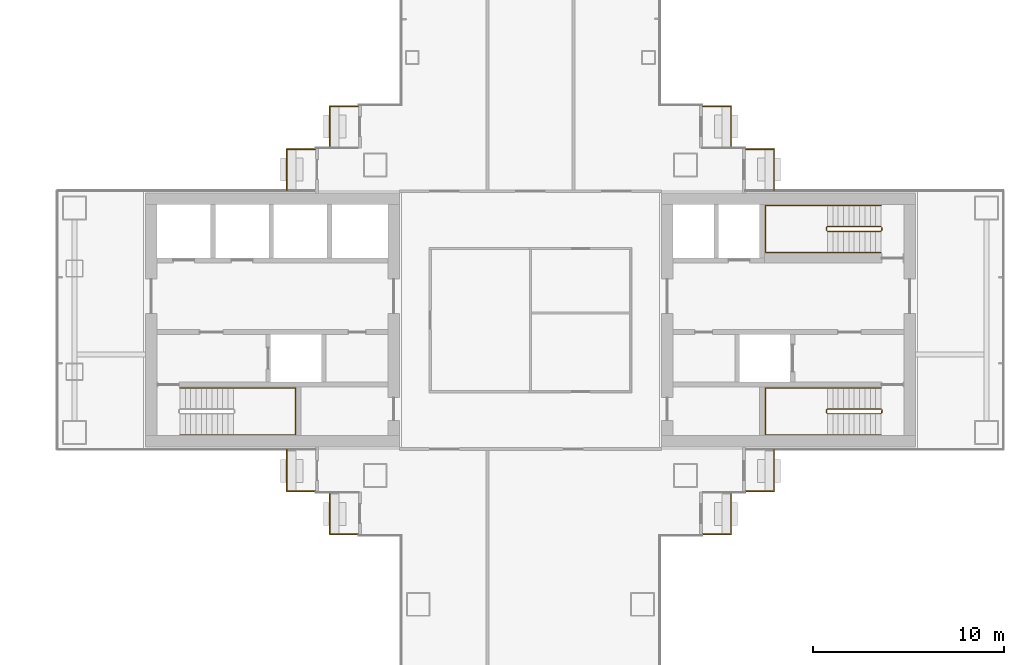
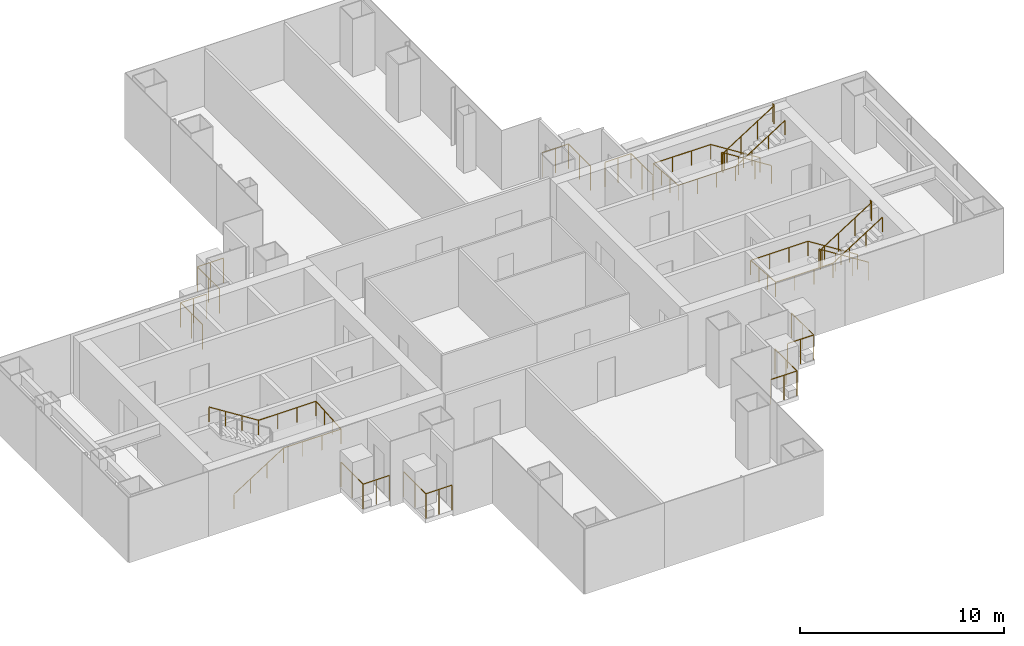
# One storey, part 19 of 20: 13 railings.
"""IFC4 building model written with IfcOpenShell, lengths in metres."""

import ifcopenshell
import ifcopenshell.guid

model = None  # the IFC model being written
_history = None  # IfcOwnerHistory: only IFC2X3 demands one
_inside = {}  # id of a spatial element -> (the spatial element, [elements in it])
_under = {}  # id of a project, library or spatial element -> (it, [spatial elements below it])
_declared = {}  # id of a project -> (the project, [libraries it declares])
_typed = {}  # id of a type object -> (the type object, [elements of that type])
_made_of = {}  # id of a material, layer set ... -> (it, [elements and type objects made of it])


def new_model(schema):
    """Start an empty IFC model of exactly this schema.

    Asked for "IFC4X3", IfcOpenShell would pick the latest addendum, in which some entities
    have other attributes; the version numbers below select the first issue.
    IFC2X3 requires an IfcOwnerHistory on every rooted entity: one is made here for all.
    """
    global model, _history
    if schema == "IFC4X3":
        model = ifcopenshell.file(schema_version=(4, 3, 0, 0))
    else:
        model = ifcopenshell.file(schema=schema)
    _inside.clear()
    _under.clear()
    _declared.clear()
    _typed.clear()
    _made_of.clear()
    _history = None
    if model.schema == "IFC2X3":
        org = make("IfcOrganization", Name="unknown")
        user = make(
            "IfcPersonAndOrganization",
            ThePerson=make("IfcPerson", FamilyName="unknown"),
            TheOrganization=org,
        )
        app = make(
            "IfcApplication",
            ApplicationDeveloper=org,
            Version="unknown",
            ApplicationFullName="unknown",
            ApplicationIdentifier="unknown",
        )
        _history = make(
            "IfcOwnerHistory",
            OwningUser=user,
            OwningApplication=app,
            ChangeAction="ADDED",
            CreationDate=0,
        )
    return model


def make(cls, **values):
    """One entity of the class cls with the attributes given. An attribute that is None is left unset."""
    return model.create_entity(
        cls, **{name: value for name, value in values.items() if value is not None}
    )


def rooted(cls, **values):
    """An entity with a GlobalId (a new one), such as an element, a storey or a relation."""
    return make(cls, GlobalId=ifcopenshell.guid.new(), OwnerHistory=_history, **values)


def si_unit(unit_type, name, prefix=None):
    """IfcSIUnit, for example si_unit("LENGTHUNIT", "METRE", prefix="MILLI")."""
    return make("IfcSIUnit", UnitType=unit_type, Prefix=prefix, Name=name)


def assignment(units):
    """IfcUnitAssignment: the units of a project."""
    return None if units is None else make("IfcUnitAssignment", Units=units)


def point(xyz):
    """IfcCartesianPoint."""
    return None if xyz is None else make("IfcCartesianPoint", Coordinates=xyz)


def direction(xyz):
    """IfcDirection."""
    return None if xyz is None else make("IfcDirection", DirectionRatios=xyz)


def frame(location, z_axis=None, x_axis=None):
    """IfcAxis2Placement3D, a coordinate frame: its origin and axes. An axis left out is left unset."""
    return make(
        "IfcAxis2Placement3D",
        Location=point(location),
        Axis=direction(z_axis),
        RefDirection=direction(x_axis),
    )


def frame_2d(location, x_axis=None):
    """IfcAxis2Placement2D, a coordinate frame in the plane: its origin and x axis."""
    return make(
        "IfcAxis2Placement2D", Location=point(location), RefDirection=direction(x_axis)
    )


def origin():
    """The frame at (0, 0, 0) with its axes left unset."""
    return frame((0.0, 0.0, 0.0))


def origin_2d():
    """The frame at (0, 0) in the plane with its x axis left unset."""
    return frame_2d((0.0, 0.0))


def place(relative_to, where):
    """IfcLocalPlacement: puts the frame where relative to a parent placement (None: the world)."""
    return make(
        "IfcLocalPlacement", PlacementRelTo=relative_to, RelativePlacement=where
    )


def context(
    kind, dimensions, precision=None, world=None, true_north=None, identifier=None
):
    """IfcGeometricRepresentationContext, for example the 3D "Model" context."""
    return make(
        "IfcGeometricRepresentationContext",
        ContextIdentifier=identifier,
        ContextType=kind,
        CoordinateSpaceDimension=dimensions,
        Precision=precision,
        WorldCoordinateSystem=world,
        TrueNorth=true_north,
    )


def subcontext(parent, identifier, kind, view, scale=None):
    """IfcGeometricRepresentationSubContext, for example "Body" below "Model"."""
    return make(
        "IfcGeometricRepresentationSubContext",
        ContextIdentifier=identifier,
        ContextType=kind,
        ParentContext=parent,
        TargetScale=scale,
        TargetView=view,
    )


def project(units=None, contexts=None):
    """IfcProject with its units and contexts."""
    return rooted(
        "IfcProject",
        Name="project",
        RepresentationContexts=contexts,
        UnitsInContext=assignment(units),
    )


def spatial(cls, under=None, at=None, **own):
    """A site, building, storey or space (cls), placed at a placement, below another one or the project."""
    s = rooted(cls, ObjectPlacement=at, **own)
    if under is not None:
        _under.setdefault(under.id(), (under, []))[1].append(s)
    return s


def profile(cls, at=None, kind="AREA", **sizes):
    """A parametric profile (cls). Its sizes go by their IFC names, for example OverallWidth=200.0."""
    return make(cls, ProfileType=kind, Position=at, **sizes)


def circle(**sizes):
    """IfcCircleProfileDef."""
    return profile("IfcCircleProfileDef", **sizes)


def extrude(swept, where, along, depth):
    """IfcExtrudedAreaSolid: the profile swept, set in the frame where, extruded along a direction by depth."""
    return make(
        "IfcExtrudedAreaSolid",
        SweptArea=swept,
        Position=where,
        ExtrudedDirection=direction(along),
        Depth=depth,
    )


def shape(context_of_items, identifier, shape_type, items):
    """IfcShapeRepresentation: the items that make up one representation, for example the "Body"."""
    return make(
        "IfcShapeRepresentation",
        ContextOfItems=context_of_items,
        RepresentationIdentifier=identifier,
        RepresentationType=shape_type,
        Items=items,
    )


def material(Name=None, Category=None):
    """IfcMaterial."""
    return make("IfcMaterial", Name=Name, Category=Category)


def made_of(thing, what):
    """Note that an element or type object is made of a material, layer set ...; save() writes the relation."""
    if what is not None:
        _made_of.setdefault(what.id(), (what, []))[1].append(thing)
    return thing


def type_object(cls, material=None, **own):
    """A type object (cls), such as IfcWallType, which elements share."""
    return made_of(rooted(cls, **own), material)


def element(
    cls,
    number,
    at=None,
    inside=None,
    cuts=None,
    type_object=None,
    material=None,
    context=None,
    identifier="Body",
    shape_type=None,
    held_by="IfcProductDefinitionShape",
    body=None,
    shapes=None,
    **own,
):
    """One element of the class cls, such as IfcWall. Its Tag is "e" and its number.

    at: its placement. inside: the storey or other place that contains it. cuts: it is an
    opening in that element (IfcRelVoidsElement). A single representation is given by context,
    identifier, shape_type and body (its items); several are given by shapes. held_by: the class
    of the entity that holds the representations. save() writes the other relations.
    """
    e = rooted(cls, Tag="e%d" % number, ObjectPlacement=at, **own)
    if body is not None:
        shapes = [shape(context, identifier, shape_type, body)]
    if shapes is not None:
        e.Representation = make(held_by, Representations=shapes)
    if inside is not None:
        _inside.setdefault(inside.id(), (inside, []))[1].append(e)
    if cuts is not None:
        rooted(
            "IfcRelVoidsElement", RelatingBuildingElement=cuts, RelatedOpeningElement=e
        )
    if type_object is not None:
        _typed.setdefault(type_object.id(), (type_object, []))[1].append(e)
    return made_of(e, material)


def aggregate(whole, parts):
    """IfcRelAggregates: a whole, such as a stair, and the parts it consists of."""
    return rooted("IfcRelAggregates", RelatingObject=whole, RelatedObjects=parts)


def save(model, path):
    """Write the relations noted so far, then the file.

    IfcRelAggregates (storeys below a building ...), IfcRelContainedInSpatialStructure (elements
    in a storey), IfcRelDefinesByType, IfcRelAssociatesMaterial and IfcRelDeclares: one each for
    every whole, place, type object, material and project.
    """
    for whole, parts in _under.values():
        aggregate(whole, parts)
    for where, things in _inside.values():
        rooted(
            "IfcRelContainedInSpatialStructure",
            RelatedElements=things,
            RelatingStructure=where,
        )
    for kind, things in _typed.values():
        rooted("IfcRelDefinesByType", RelatedObjects=things, RelatingType=kind)
    for what, things in _made_of.values():
        rooted("IfcRelAssociatesMaterial", RelatedObjects=things, RelatingMaterial=what)
    for by, libraries in _declared.values():
        rooted("IfcRelDeclares", RelatingContext=by, RelatedDefinitions=libraries)
    model.write(path)


model = new_model("IFC4")

# Units and contexts
model_context = context("Model", 3, precision=1e-05, world=origin(), true_north=direction((0.0, 1.0)))
body_context = subcontext(model_context, "Body", "Model", "MODEL_VIEW")
ifc_project = project(units=[si_unit("LENGTHUNIT", "METRE"), si_unit("AREAUNIT", "SQUARE_METRE"), si_unit("VOLUMEUNIT", "CUBIC_METRE"), si_unit("PLANEANGLEUNIT", "RADIAN"), si_unit("MASSUNIT", "GRAM", prefix="KILO")], contexts=[model_context])

# Site, building, storey
site_placement = place(None, origin())
site = spatial("IfcSite", under=ifc_project, at=site_placement, CompositionType="ELEMENT")
building_placement = place(site_placement, origin())
building = spatial("IfcBuilding", under=site, at=building_placement, Name="Shamsa Quay Exchange Towers", CompositionType="ELEMENT")
storey_placement = place(building_placement, frame((0.0, 0.0, 124.800048828125)))
storey = spatial("IfcBuildingStorey", under=building, at=storey_placement, Name="L29", CompositionType="ELEMENT", Elevation=124.800048828125)

# Railings
ifc_material_1 = material(Name="Steel S355, black powder-coated", Category="steel")
railing_type_1 = type_object("IfcRailingType", Name="BALCONY GUARD 1500", PredefinedType="GUARDRAIL", material=ifc_material_1)
for number, where, name in (
    (1, (24.72900390625, 11.199951171875, 0.0), "Balcony guard T2-PKEN L29"),
    (2, (22.47900390625, 8.949951171875, 0.0), "Balcony guard T2-PKEN L29"),
):
    element("IfcRailing", number, at=place(storey_placement, frame(where)), inside=storey, type_object=railing_type_1, Name=name, PredefinedType="GUARDRAIL", context=body_context, shape_type="SweptSolid", body=[
        extrude(circle(Radius=0.02392578125, at=origin_2d()), frame((0.0, 0.0, 1.47607421875), z_axis=(-1.0, 0.0, 0.0), x_axis=(0.0, -1.0, 0.0)), (0.0, 0.0, 1.0), 1.47900390625),
        extrude(circle(Radius=0.02392578125, at=origin_2d()), frame((-1.47900390625, 0.0, 1.47607421875), z_axis=(0.0, -1.0, 0.0), x_axis=(1.0, 0.0, 0.0)), (0.0, 0.0, 1.0), 2.161865234375),
        extrude(circle(Radius=0.02099609375, at=origin_2d()), origin(), (0.0, 0.0, 1.0), 1.451904296875),
        extrude(circle(Radius=0.02099609375, at=origin_2d()), frame((-0.739501953125, 0.0, 0.0)), (0.0, 0.0, 1.0), 1.451904296875),
        extrude(circle(Radius=0.02099609375, at=origin_2d()), frame((-1.47900390625, 0.0, 0.0)), (0.0, 0.0, 1.0), 1.451904296875),
        extrude(circle(Radius=0.02099609375, at=origin_2d()), frame((-1.47900390625, -1.0810546875, 0.0)), (0.0, 0.0, 1.0), 1.451904296875),
        extrude(circle(Radius=0.02099609375, at=origin_2d()), frame((-1.47900390625, -2.161865234375, 0.0)), (0.0, 0.0, 1.0), 1.451904296875),
    ])
for number, where, name in (
    (3, (44.25, 9.0380859375, 0.0), "Balcony guard T2-PKES L29"),
    (4, (46.5, 6.7880859375, 0.0), "Balcony guard T2-PKES L29"),
):
    element("IfcRailing", number, at=place(storey_placement, frame(where)), inside=storey, type_object=railing_type_1, Name=name, PredefinedType="GUARDRAIL", context=body_context, shape_type="SweptSolid", body=[
        extrude(circle(Radius=0.02392578125, at=origin_2d()), frame((0.0, 0.0, 1.47607421875), z_axis=(0.0, 1.0, 0.0), x_axis=(-1.0, 0.0, 0.0)), (0.0, 0.0, 1.0), 2.161865234375),
        extrude(circle(Radius=0.02392578125, at=origin_2d()), frame((0.0, 2.161865234375, 1.47607421875), z_axis=(-1.0, 0.0, 0.0), x_axis=(0.0, -1.0, 0.0)), (0.0, 0.0, 1.0), 1.47900390625),
        extrude(circle(Radius=0.02099609375, at=origin_2d()), origin(), (0.0, 0.0, 1.0), 1.451904296875),
        extrude(circle(Radius=0.02099609375, at=origin_2d()), frame((0.0, 1.0810546875, 0.0)), (0.0, 0.0, 1.0), 1.451904296875),
        extrude(circle(Radius=0.02099609375, at=origin_2d()), frame((0.0, 2.161865234375, 0.0)), (0.0, 0.0, 1.0), 1.451904296875),
        extrude(circle(Radius=0.02099609375, at=origin_2d()), frame((-0.739501953125, 2.161865234375, 0.0)), (0.0, 0.0, 1.0), 1.451904296875),
        extrude(circle(Radius=0.02099609375, at=origin_2d()), frame((-1.47900390625, 2.161865234375, 0.0)), (0.0, 0.0, 1.0), 1.451904296875),
    ])
for number, where, name in (
    (5, (21.0, -6.7880859375, 0.0), "Balcony guard T2-PKWN L29"),
    (6, (23.25, -9.0380859375, 0.0), "Balcony guard T2-PKWN L29"),
):
    element("IfcRailing", number, at=place(storey_placement, frame(where)), inside=storey, type_object=railing_type_1, Name=name, PredefinedType="GUARDRAIL", context=body_context, shape_type="SweptSolid", body=[
        extrude(circle(Radius=0.02392578125, at=origin_2d()), frame((0.0, 0.0, 1.47607421875), z_axis=(0.0, -1.0, 0.0), x_axis=(1.0, 0.0, 0.0)), (0.0, 0.0, 1.0), 2.161865234375),
        extrude(circle(Radius=0.02392578125, at=origin_2d()), frame((0.0, -2.161865234375, 1.47607421875), z_axis=(1.0, 0.0, 0.0), x_axis=(0.0, 1.0, 0.0)), (0.0, 0.0, 1.0), 1.47900390625),
        extrude(circle(Radius=0.02099609375, at=origin_2d()), origin(), (0.0, 0.0, 1.0), 1.451904296875),
        extrude(circle(Radius=0.02099609375, at=origin_2d()), frame((0.0, -1.0810546875, 0.0)), (0.0, 0.0, 1.0), 1.451904296875),
        extrude(circle(Radius=0.02099609375, at=origin_2d()), frame((0.0, -2.161865234375, 0.0)), (0.0, 0.0, 1.0), 1.451904296875),
        extrude(circle(Radius=0.02099609375, at=origin_2d()), frame((0.739501953125, -2.161865234375, 0.0)), (0.0, 0.0, 1.0), 1.451904296875),
        extrude(circle(Radius=0.02099609375, at=origin_2d()), frame((1.47900390625, -2.161865234375, 0.0)), (0.0, 0.0, 1.0), 1.451904296875),
    ])
for number, where, name in (
    (7, (42.77099609375, -11.199951171875, 0.0), "Balcony guard T2-PKWS L29"),
    (8, (45.02099609375, -8.949951171875, 0.0), "Balcony guard T2-PKWS L29"),
):
    element("IfcRailing", number, at=place(storey_placement, frame(where)), inside=storey, type_object=railing_type_1, Name=name, PredefinedType="GUARDRAIL", context=body_context, shape_type="SweptSolid", body=[
        extrude(circle(Radius=0.02392578125, at=origin_2d()), frame((0.0, 0.0, 1.47607421875), z_axis=(1.0, 0.0, 0.0), x_axis=(0.0, 1.0, 0.0)), (0.0, 0.0, 1.0), 1.47900390625),
        extrude(circle(Radius=0.02392578125, at=origin_2d()), frame((1.47900390625, 0.0, 1.47607421875), z_axis=(0.0, 1.0, 0.0), x_axis=(-1.0, 0.0, 0.0)), (0.0, 0.0, 1.0), 2.161865234375),
        extrude(circle(Radius=0.02099609375, at=origin_2d()), origin(), (0.0, 0.0, 1.0), 1.451904296875),
        extrude(circle(Radius=0.02099609375, at=origin_2d()), frame((0.739501953125, 0.0, 0.0)), (0.0, 0.0, 1.0), 1.451904296875),
        extrude(circle(Radius=0.02099609375, at=origin_2d()), frame((1.47900390625, 0.0, 0.0)), (0.0, 0.0, 1.0), 1.451904296875),
        extrude(circle(Radius=0.02099609375, at=origin_2d()), frame((1.47900390625, 1.0810546875, 0.0)), (0.0, 0.0, 1.0), 1.451904296875),
        extrude(circle(Radius=0.02099609375, at=origin_2d()), frame((1.47900390625, 2.161865234375, 0.0)), (0.0, 0.0, 1.0), 1.451904296875),
    ])
ifc_material_2 = material(Name="Stainless steel", Category="steel")
railing_type_2 = type_object("IfcRailingType", Name="STAIR GUARD 1100", PredefinedType="GUARDRAIL", material=ifc_material_2)
railing_1_placement = place(storey_placement, frame((52.10009765625, -4.64990234375, 0.17724609375)))
element("IfcRailing", 9, at=railing_1_placement, inside=storey, type_object=railing_type_2, Name="L29 ST5 stair guard 1", PredefinedType="GUARDRAIL", context=body_context, shape_type="SweptSolid", body=[
    extrude(circle(Radius=0.02392578125, at=origin_2d()), frame((0.0, 0.0, 1.076171875), z_axis=(-0.844908973607, 0.0, 0.534910110503), x_axis=(0.0, -1.0, 0.0)), (0.0, 0.0, 1.0), 3.31396484375),
    extrude(circle(Radius=0.02392578125, at=origin_2d()), frame((-2.800048828125, 0.0, 2.8486328125), z_axis=(-0.707106781187, -0.707106781187, 0.0), x_axis=(0.707106781187, -0.707106781187, 0.0)), (0.0, 0.0, 1.0), 0.07080078125),
    extrude(circle(Radius=0.02392578125, at=origin_2d()), frame((-2.85009765625, -0.050048828125, 2.8486328125), z_axis=(0.0, -1.0, 0.0), x_axis=(1.0, 0.0, 0.0)), (0.0, 0.0, 1.0), 0.150146484375),
    extrude(circle(Radius=0.02392578125, at=origin_2d()), frame((-2.85009765625, -0.2001953125, 2.8486328125), z_axis=(0.262321481514, -0.261041864531, 0.929001929653), x_axis=(0.705375805398, 0.708833529934, 0.0)), (0.0, 0.0, 1.0), 0.190673828125),
    extrude(circle(Radius=0.02392578125, at=origin_2d()), frame((-2.800048828125, -0.25, 3.02587890625), z_axis=(0.844908973607, 0.0, 0.534910110503), x_axis=(0.0, 1.0, 0.0)), (0.0, 0.0, 1.0), 3.31396484375),
    extrude(circle(Radius=0.02392578125, at=origin_2d()), frame((0.0, -0.25, 4.798828125), z_axis=(0.241699205484, 0.970351222016, 0.0), x_axis=(-0.970351222016, 0.241699205484, 0.0)), (0.0, 0.0, 1.0), 0.2060546875),
    extrude(circle(Radius=0.02392578125, at=origin_2d()), frame((0.0498046875, -0.050048828125, 4.798828125), z_axis=(0.0, -1.0, 0.0), x_axis=(1.0, 0.0, 0.0)), (0.0, 0.0, 1.0), 0.150146484375),
    extrude(circle(Radius=0.02099609375, at=origin_2d()), origin(), (0.0, 0.0, 1.0), 1.052001953125),
    extrude(circle(Radius=0.02099609375, at=origin_2d()), frame((-0.933349609375, 0.0, 0.5908203125)), (0.0, 0.0, 1.0), 1.052001953125),
    extrude(circle(Radius=0.02099609375, at=origin_2d()), frame((-1.86669921875, 0.0, 1.181884765625)), (0.0, 0.0, 1.0), 1.052001953125),
    extrude(circle(Radius=0.02099609375, at=origin_2d()), frame((-2.800048828125, 0.0, 1.772705078125)), (0.0, 0.0, 1.0), 1.052001953125),
    extrude(circle(Radius=0.02099609375, at=origin_2d()), frame((-2.85009765625, -0.050048828125, 1.772705078125)), (0.0, 0.0, 1.0), 1.052001953125),
    extrude(circle(Radius=0.02099609375, at=origin_2d()), frame((-2.85009765625, -0.2001953125, 1.772705078125)), (0.0, 0.0, 1.0), 1.052001953125),
    extrude(circle(Radius=0.02099609375, at=origin_2d()), frame((-2.800048828125, -0.25, 1.949951171875)), (0.0, 0.0, 1.0), 1.052001953125),
    extrude(circle(Radius=0.02099609375, at=origin_2d()), frame((-1.86669921875, -0.25, 2.540771484375)), (0.0, 0.0, 1.0), 1.052001953125),
    extrude(circle(Radius=0.02099609375, at=origin_2d()), frame((-0.933349609375, -0.25, 3.1318359375)), (0.0, 0.0, 1.0), 1.052001953125),
    extrude(circle(Radius=0.02099609375, at=origin_2d()), frame((0.0, -0.25, 3.72265625)), (0.0, 0.0, 1.0), 1.052001953125),
    extrude(circle(Radius=0.02099609375, at=origin_2d()), frame((0.0498046875, -0.050048828125, 3.72265625)), (0.0, 0.0, 1.0), 1.052001953125),
    extrude(circle(Radius=0.02099609375, at=origin_2d()), frame((0.0498046875, -0.2001953125, 3.72265625)), (0.0, 0.0, 1.0), 1.052001953125),
])
railing_2_placement = place(storey_placement, frame((52.10009765625, 4.89990234375, 0.17724609375)))
element("IfcRailing", 10, at=railing_2_placement, inside=storey, type_object=railing_type_2, Name="L29 ST6 stair guard 1", PredefinedType="GUARDRAIL", context=body_context, shape_type="SweptSolid", body=[
    extrude(circle(Radius=0.02392578125, at=origin_2d()), frame((0.0, 0.0, 1.076171875), z_axis=(-0.844908973607, 0.0, 0.534910110503), x_axis=(0.0, -1.0, 0.0)), (0.0, 0.0, 1.0), 3.31396484375),
    extrude(circle(Radius=0.02392578125, at=origin_2d()), frame((-2.800048828125, 0.0, 2.8486328125), z_axis=(-0.708833529934, -0.705375805398, 0.0), x_axis=(0.705375805398, -0.708833529934, 0.0)), (0.0, 0.0, 1.0), 0.070556640625),
    extrude(circle(Radius=0.02392578125, at=origin_2d()), frame((-2.85009765625, -0.0498046875, 2.8486328125), z_axis=(0.0, -1.0, 0.0), x_axis=(1.0, 0.0, 0.0)), (0.0, 0.0, 1.0), 0.150146484375),
    extrude(circle(Radius=0.02392578125, at=origin_2d()), frame((-2.85009765625, -0.199951171875, 2.8486328125), z_axis=(0.262233686654, -0.262233686654, 0.928691007369), x_axis=(0.707106781187, 0.707106781187, 0.0)), (0.0, 0.0, 1.0), 0.19091796875),
    extrude(circle(Radius=0.02392578125, at=origin_2d()), frame((-2.800048828125, -0.25, 3.02587890625), z_axis=(0.844908973607, 0.0, 0.534910110503), x_axis=(0.0, 1.0, 0.0)), (0.0, 0.0, 1.0), 3.31396484375),
    extrude(circle(Radius=0.02392578125, at=origin_2d()), frame((0.0, -0.25, 4.798828125), z_axis=(0.24142163986, 0.970420317083, 0.0), x_axis=(-0.970420317083, 0.24142163986, 0.0)), (0.0, 0.0, 1.0), 0.206298828125),
    extrude(circle(Radius=0.02392578125, at=origin_2d()), frame((0.0498046875, -0.0498046875, 4.798828125), z_axis=(0.0, -1.0, 0.0), x_axis=(1.0, 0.0, 0.0)), (0.0, 0.0, 1.0), 0.150146484375),
    extrude(circle(Radius=0.02099609375, at=origin_2d()), origin(), (0.0, 0.0, 1.0), 1.052001953125),
    extrude(circle(Radius=0.02099609375, at=origin_2d()), frame((-0.933349609375, 0.0, 0.5908203125)), (0.0, 0.0, 1.0), 1.052001953125),
    extrude(circle(Radius=0.02099609375, at=origin_2d()), frame((-1.86669921875, 0.0, 1.181884765625)), (0.0, 0.0, 1.0), 1.052001953125),
    extrude(circle(Radius=0.02099609375, at=origin_2d()), frame((-2.800048828125, 0.0, 1.772705078125)), (0.0, 0.0, 1.0), 1.052001953125),
    extrude(circle(Radius=0.02099609375, at=origin_2d()), frame((-2.85009765625, -0.0498046875, 1.772705078125)), (0.0, 0.0, 1.0), 1.052001953125),
    extrude(circle(Radius=0.02099609375, at=origin_2d()), frame((-2.85009765625, -0.199951171875, 1.772705078125)), (0.0, 0.0, 1.0), 1.052001953125),
    extrude(circle(Radius=0.02099609375, at=origin_2d()), frame((-2.800048828125, -0.25, 1.949951171875)), (0.0, 0.0, 1.0), 1.052001953125),
    extrude(circle(Radius=0.02099609375, at=origin_2d()), frame((-1.86669921875, -0.25, 2.540771484375)), (0.0, 0.0, 1.0), 1.052001953125),
    extrude(circle(Radius=0.02099609375, at=origin_2d()), frame((-0.933349609375, -0.25, 3.1318359375)), (0.0, 0.0, 1.0), 1.052001953125),
    extrude(circle(Radius=0.02099609375, at=origin_2d()), frame((0.0, -0.25, 3.72265625)), (0.0, 0.0, 1.0), 1.052001953125),
    extrude(circle(Radius=0.02099609375, at=origin_2d()), frame((0.0498046875, -0.0498046875, 3.72265625)), (0.0, 0.0, 1.0), 1.052001953125),
    extrude(circle(Radius=0.02099609375, at=origin_2d()), frame((0.0498046875, -0.199951171875, 3.72265625)), (0.0, 0.0, 1.0), 1.052001953125),
])
railing_type_3 = type_object("IfcRailingType", Name="STAIR HANDRAIL 900", PredefinedType="HANDRAIL", material=ifc_material_2)
railing_3_placement = place(storey_placement, frame((15.39990234375, -6.0, 0.17724609375)))
element("IfcRailing", 11, at=railing_3_placement, inside=storey, type_object=railing_type_3, Name="L29 ST4 stair handrail 1", PredefinedType="HANDRAIL", context=body_context, shape_type="SweptSolid", body=[
    extrude(circle(Radius=0.02392578125, at=origin_2d()), frame((0.0, 0.0, 0.8759765625), z_axis=(0.844908973607, 0.0, 0.534910110503), x_axis=(0.0, 1.0, 0.0)), (0.0, 0.0, 1.0), 3.31396484375),
    extrude(circle(Radius=0.02392578125, at=origin_2d()), frame((2.800048828125, 0.0, 2.6484375), z_axis=(1.0, 0.0, 0.0), x_axis=(0.0, 1.0, 0.0)), (0.0, 0.0, 1.0), 3.25),
    extrude(circle(Radius=0.02392578125, at=origin_2d()), frame((6.050048828125, 0.0, 2.6484375), z_axis=(0.0, 0.997393199914, 0.07215819264), x_axis=(-1.0, 0.0, 0.0)), (0.0, 0.0, 1.0), 2.456298828125),
    extrude(circle(Radius=0.02392578125, at=origin_2d()), frame((6.050048828125, 2.449951171875, 2.82568359375), z_axis=(-1.0, 0.0, 0.0), x_axis=(0.0, -1.0, 0.0)), (0.0, 0.0, 1.0), 3.25),
    extrude(circle(Radius=0.02392578125, at=origin_2d()), frame((2.800048828125, 2.449951171875, 2.82568359375), z_axis=(-0.844908973607, 0.0, 0.534910110503), x_axis=(0.0, -1.0, 0.0)), (0.0, 0.0, 1.0), 3.31396484375),
    extrude(circle(Radius=0.02099609375, at=origin_2d()), origin(), (0.0, 0.0, 1.0), 0.851806640625),
    extrude(circle(Radius=0.02099609375, at=origin_2d()), frame((0.933349609375, 0.0, 0.5908203125)), (0.0, 0.0, 1.0), 0.851806640625),
    extrude(circle(Radius=0.02099609375, at=origin_2d()), frame((1.86669921875, 0.0, 1.181884765625)), (0.0, 0.0, 1.0), 0.851806640625),
    extrude(circle(Radius=0.02099609375, at=origin_2d()), frame((2.800048828125, 0.0, 1.772705078125)), (0.0, 0.0, 1.0), 0.851806640625),
    extrude(circle(Radius=0.02099609375, at=origin_2d()), frame((3.88330078125, 0.0, 1.772705078125)), (0.0, 0.0, 1.0), 0.851806640625),
    extrude(circle(Radius=0.02099609375, at=origin_2d()), frame((4.966796875, 0.0, 1.772705078125)), (0.0, 0.0, 1.0), 0.851806640625),
    extrude(circle(Radius=0.02099609375, at=origin_2d()), frame((6.050048828125, 0.0, 1.772705078125)), (0.0, 0.0, 1.0), 0.851806640625),
    extrude(circle(Radius=0.02099609375, at=origin_2d()), frame((6.050048828125, 0.816650390625, 1.831787109375)), (0.0, 0.0, 1.0), 0.851806640625),
    extrude(circle(Radius=0.02099609375, at=origin_2d()), frame((6.050048828125, 1.63330078125, 1.890869140625)), (0.0, 0.0, 1.0), 0.851806640625),
    extrude(circle(Radius=0.02099609375, at=origin_2d()), frame((6.050048828125, 2.449951171875, 1.949951171875)), (0.0, 0.0, 1.0), 0.851806640625),
    extrude(circle(Radius=0.02099609375, at=origin_2d()), frame((4.966796875, 2.449951171875, 1.949951171875)), (0.0, 0.0, 1.0), 0.851806640625),
    extrude(circle(Radius=0.02099609375, at=origin_2d()), frame((3.88330078125, 2.449951171875, 1.949951171875)), (0.0, 0.0, 1.0), 0.851806640625),
    extrude(circle(Radius=0.02099609375, at=origin_2d()), frame((2.800048828125, 2.449951171875, 1.949951171875)), (0.0, 0.0, 1.0), 0.851806640625),
    extrude(circle(Radius=0.02099609375, at=origin_2d()), frame((1.86669921875, 2.449951171875, 2.540771484375)), (0.0, 0.0, 1.0), 0.851806640625),
    extrude(circle(Radius=0.02099609375, at=origin_2d()), frame((0.933349609375, 2.449951171875, 3.1318359375)), (0.0, 0.0, 1.0), 0.851806640625),
    extrude(circle(Radius=0.02099609375, at=origin_2d()), frame((0.0, 2.449951171875, 3.72265625)), (0.0, 0.0, 1.0), 0.851806640625),
])
railing_4_placement = place(storey_placement, frame((52.10009765625, -3.550048828125, 0.17724609375)))
element("IfcRailing", 12, at=railing_4_placement, inside=storey, type_object=railing_type_3, Name="L29 ST5 stair handrail 1", PredefinedType="HANDRAIL", context=body_context, shape_type="SweptSolid", body=[
    extrude(circle(Radius=0.02392578125, at=origin_2d()), frame((0.0, 0.0, 0.8759765625), z_axis=(-0.844908973607, 0.0, 0.534910110503), x_axis=(0.0, -1.0, 0.0)), (0.0, 0.0, 1.0), 3.31396484375),
    extrude(circle(Radius=0.02392578125, at=origin_2d()), frame((-2.800048828125, 0.0, 2.6484375), z_axis=(-1.0, 0.0, 0.0), x_axis=(0.0, -1.0, 0.0)), (0.0, 0.0, 1.0), 3.25),
    extrude(circle(Radius=0.02392578125, at=origin_2d()), frame((-6.050048828125, 0.0, 2.6484375), z_axis=(0.0, -0.997393199914, 0.07215819264), x_axis=(1.0, 0.0, 0.0)), (0.0, 0.0, 1.0), 2.456298828125),
    extrude(circle(Radius=0.02392578125, at=origin_2d()), frame((-6.050048828125, -2.449951171875, 2.82568359375), z_axis=(1.0, 0.0, 0.0), x_axis=(0.0, 1.0, 0.0)), (0.0, 0.0, 1.0), 3.25),
    extrude(circle(Radius=0.02392578125, at=origin_2d()), frame((-2.800048828125, -2.449951171875, 2.82568359375), z_axis=(0.844908973607, 0.0, 0.534910110503), x_axis=(0.0, 1.0, 0.0)), (0.0, 0.0, 1.0), 3.31396484375),
    extrude(circle(Radius=0.02099609375, at=origin_2d()), origin(), (0.0, 0.0, 1.0), 0.851806640625),
    extrude(circle(Radius=0.02099609375, at=origin_2d()), frame((-0.933349609375, 0.0, 0.5908203125)), (0.0, 0.0, 1.0), 0.851806640625),
    extrude(circle(Radius=0.02099609375, at=origin_2d()), frame((-1.86669921875, 0.0, 1.181884765625)), (0.0, 0.0, 1.0), 0.851806640625),
    extrude(circle(Radius=0.02099609375, at=origin_2d()), frame((-2.800048828125, 0.0, 1.772705078125)), (0.0, 0.0, 1.0), 0.851806640625),
    extrude(circle(Radius=0.02099609375, at=origin_2d()), frame((-3.88330078125, 0.0, 1.772705078125)), (0.0, 0.0, 1.0), 0.851806640625),
    extrude(circle(Radius=0.02099609375, at=origin_2d()), frame((-4.966796875, 0.0, 1.772705078125)), (0.0, 0.0, 1.0), 0.851806640625),
    extrude(circle(Radius=0.02099609375, at=origin_2d()), frame((-6.050048828125, 0.0, 1.772705078125)), (0.0, 0.0, 1.0), 0.851806640625),
    extrude(circle(Radius=0.02099609375, at=origin_2d()), frame((-6.050048828125, -0.816650390625, 1.831787109375)), (0.0, 0.0, 1.0), 0.851806640625),
    extrude(circle(Radius=0.02099609375, at=origin_2d()), frame((-6.050048828125, -1.63330078125, 1.890869140625)), (0.0, 0.0, 1.0), 0.851806640625),
    extrude(circle(Radius=0.02099609375, at=origin_2d()), frame((-6.050048828125, -2.449951171875, 1.949951171875)), (0.0, 0.0, 1.0), 0.851806640625),
    extrude(circle(Radius=0.02099609375, at=origin_2d()), frame((-4.966796875, -2.449951171875, 1.949951171875)), (0.0, 0.0, 1.0), 0.851806640625),
    extrude(circle(Radius=0.02099609375, at=origin_2d()), frame((-3.88330078125, -2.449951171875, 1.949951171875)), (0.0, 0.0, 1.0), 0.851806640625),
    extrude(circle(Radius=0.02099609375, at=origin_2d()), frame((-2.800048828125, -2.449951171875, 1.949951171875)), (0.0, 0.0, 1.0), 0.851806640625),
    extrude(circle(Radius=0.02099609375, at=origin_2d()), frame((-1.86669921875, -2.449951171875, 2.540771484375)), (0.0, 0.0, 1.0), 0.851806640625),
    extrude(circle(Radius=0.02099609375, at=origin_2d()), frame((-0.933349609375, -2.449951171875, 3.1318359375)), (0.0, 0.0, 1.0), 0.851806640625),
    extrude(circle(Radius=0.02099609375, at=origin_2d()), frame((0.0, -2.449951171875, 3.72265625)), (0.0, 0.0, 1.0), 0.851806640625),
])
railing_5_placement = place(storey_placement, frame((52.10009765625, 6.0, 0.17724609375)))
element("IfcRailing", 13, at=railing_5_placement, inside=storey, type_object=railing_type_3, Name="L29 ST6 stair handrail 1", PredefinedType="HANDRAIL", context=body_context, shape_type="SweptSolid", body=[
    extrude(circle(Radius=0.02392578125, at=origin_2d()), frame((0.0, 0.0, 0.8759765625), z_axis=(-0.844908973607, 0.0, 0.534910110503), x_axis=(0.0, -1.0, 0.0)), (0.0, 0.0, 1.0), 3.31396484375),
    extrude(circle(Radius=0.02392578125, at=origin_2d()), frame((-2.800048828125, 0.0, 2.6484375), z_axis=(-1.0, 0.0, 0.0), x_axis=(0.0, -1.0, 0.0)), (0.0, 0.0, 1.0), 3.25),
    extrude(circle(Radius=0.02392578125, at=origin_2d()), frame((-6.050048828125, 0.0, 2.6484375), z_axis=(0.0, -0.997393199914, 0.07215819264), x_axis=(1.0, 0.0, 0.0)), (0.0, 0.0, 1.0), 2.456298828125),
    extrude(circle(Radius=0.02392578125, at=origin_2d()), frame((-6.050048828125, -2.449951171875, 2.82568359375), z_axis=(1.0, 0.0, 0.0), x_axis=(0.0, 1.0, 0.0)), (0.0, 0.0, 1.0), 3.25),
    extrude(circle(Radius=0.02392578125, at=origin_2d()), frame((-2.800048828125, -2.449951171875, 2.82568359375), z_axis=(0.844908973607, 0.0, 0.534910110503), x_axis=(0.0, 1.0, 0.0)), (0.0, 0.0, 1.0), 3.31396484375),
    extrude(circle(Radius=0.02099609375, at=origin_2d()), origin(), (0.0, 0.0, 1.0), 0.851806640625),
    extrude(circle(Radius=0.02099609375, at=origin_2d()), frame((-0.933349609375, 0.0, 0.5908203125)), (0.0, 0.0, 1.0), 0.851806640625),
    extrude(circle(Radius=0.02099609375, at=origin_2d()), frame((-1.86669921875, 0.0, 1.181884765625)), (0.0, 0.0, 1.0), 0.851806640625),
    extrude(circle(Radius=0.02099609375, at=origin_2d()), frame((-2.800048828125, 0.0, 1.772705078125)), (0.0, 0.0, 1.0), 0.851806640625),
    extrude(circle(Radius=0.02099609375, at=origin_2d()), frame((-3.88330078125, 0.0, 1.772705078125)), (0.0, 0.0, 1.0), 0.851806640625),
    extrude(circle(Radius=0.02099609375, at=origin_2d()), frame((-4.966796875, 0.0, 1.772705078125)), (0.0, 0.0, 1.0), 0.851806640625),
    extrude(circle(Radius=0.02099609375, at=origin_2d()), frame((-6.050048828125, 0.0, 1.772705078125)), (0.0, 0.0, 1.0), 0.851806640625),
    extrude(circle(Radius=0.02099609375, at=origin_2d()), frame((-6.050048828125, -0.816650390625, 1.831787109375)), (0.0, 0.0, 1.0), 0.851806640625),
    extrude(circle(Radius=0.02099609375, at=origin_2d()), frame((-6.050048828125, -1.63330078125, 1.890869140625)), (0.0, 0.0, 1.0), 0.851806640625),
    extrude(circle(Radius=0.02099609375, at=origin_2d()), frame((-6.050048828125, -2.449951171875, 1.949951171875)), (0.0, 0.0, 1.0), 0.851806640625),
    extrude(circle(Radius=0.02099609375, at=origin_2d()), frame((-4.966796875, -2.449951171875, 1.949951171875)), (0.0, 0.0, 1.0), 0.851806640625),
    extrude(circle(Radius=0.02099609375, at=origin_2d()), frame((-3.88330078125, -2.449951171875, 1.949951171875)), (0.0, 0.0, 1.0), 0.851806640625),
    extrude(circle(Radius=0.02099609375, at=origin_2d()), frame((-2.800048828125, -2.449951171875, 1.949951171875)), (0.0, 0.0, 1.0), 0.851806640625),
    extrude(circle(Radius=0.02099609375, at=origin_2d()), frame((-1.86669921875, -2.449951171875, 2.540771484375)), (0.0, 0.0, 1.0), 0.851806640625),
    extrude(circle(Radius=0.02099609375, at=origin_2d()), frame((-0.933349609375, -2.449951171875, 3.1318359375)), (0.0, 0.0, 1.0), 0.851806640625),
    extrude(circle(Radius=0.02099609375, at=origin_2d()), frame((0.0, -2.449951171875, 3.72265625)), (0.0, 0.0, 1.0), 0.851806640625),
])

save(model, "model.ifc")
